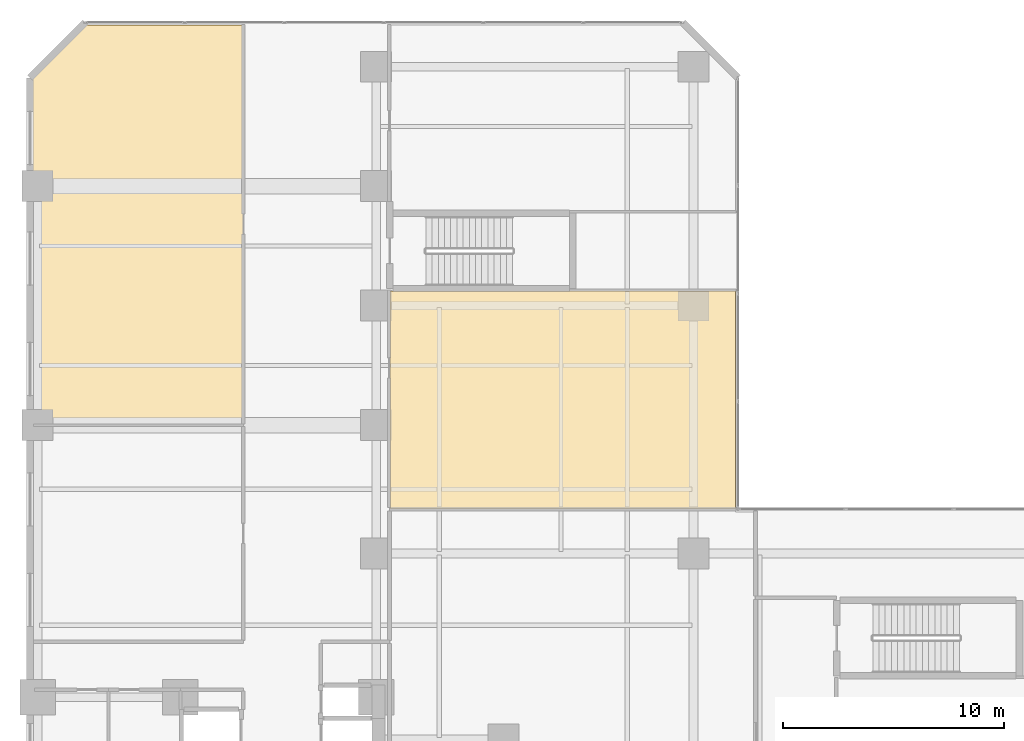
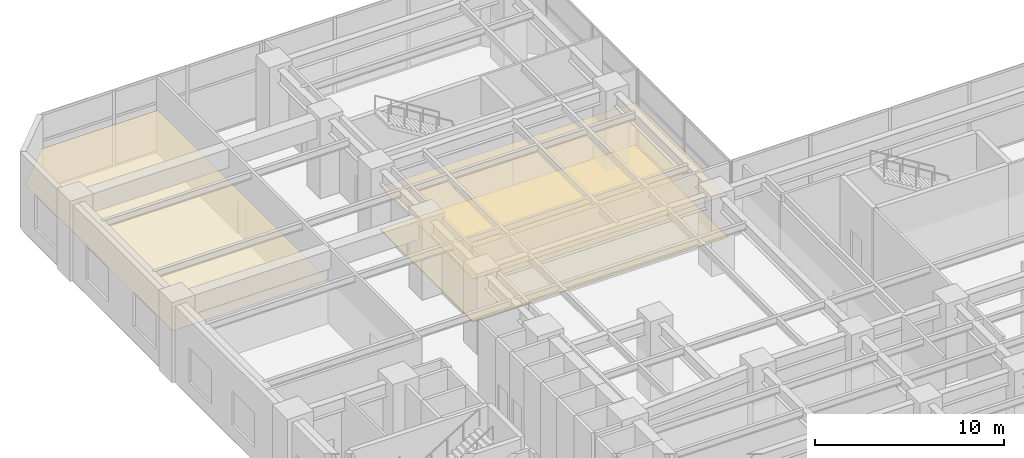
# One storey, part 21 of 22: 3 coverings.
"""IFC4 building model written with IfcOpenShell, lengths in metres."""

from ifc_helpers import new_model, si_unit, direction, frame, origin, place, context, subcontext, project, spatial, polyline, outline, extrude, material, layer, layer_set, type_object, element, save


model = new_model("IFC4")

# Units and contexts
model_context = context("Model", 3, precision=1e-05, world=origin(), true_north=direction((0.0, 1.0)))
body_context = subcontext(model_context, "Body", "Model", "MODEL_VIEW")
ifc_project = project(units=[si_unit("LENGTHUNIT", "METRE"), si_unit("AREAUNIT", "SQUARE_METRE"), si_unit("VOLUMEUNIT", "CUBIC_METRE"), si_unit("PLANEANGLEUNIT", "RADIAN"), si_unit("MASSUNIT", "GRAM", prefix="KILO")], contexts=[model_context])

# Site, building, storey
site_placement = place(None, origin())
site = spatial("IfcSite", under=ifc_project, at=site_placement, CompositionType="ELEMENT")
building_placement = place(site_placement, origin())
building = spatial("IfcBuilding", under=site, at=building_placement, Name="Mawjaban Terraces University", CompositionType="ELEMENT")
storey_placement = place(building_placement, frame((0.0, 0.0, 5.199951171875)))
storey = spatial("IfcBuildingStorey", under=building, at=storey_placement, Name="L01", CompositionType="ELEMENT", Elevation=5.199951171875)

# Coverings
ifc_material_1 = material(Name="Acoustic mineral fibre ceiling tile", Category="masonry")
ifc_layer_1 = layer(ifc_material_1, 0.02001953125)
ifc_layer_set_1 = layer_set([ifc_layer_1], Name="Acoustic mineral fibre ceiling tile")
covering_type_1 = type_object("IfcCoveringType", Name="AcousticMineralCeiling_20", PredefinedType="CEILING", material=ifc_layer_set_1)
covering_1_placement = place(storey_placement, frame((0.0, 0.0, 2.75)))
element("IfcCovering", 1, at=covering_1_placement, inside=storey, type_object=covering_type_1, Name="L01 Library Cataloguing and Faculty Office Acoustic Ceiling", PredefinedType="CEILING", context=body_context, shape_type="SweptSolid", body=[
    extrude(outline(polyline([(31.6201171875, 53.885009765625), (24.547119140625, 53.885009765625), (22.114990234375, 51.452880859375), (22.114990234375, 35.830078125), (31.6201171875, 35.830078125), (31.6201171875, 53.885009765625)])), origin(), (0.0, 0.0, 1.0), 0.02001953125),
])
covering_2_placement = place(storey_placement, frame((0.0, 0.0, 2.75)))
element("IfcCovering", 2, at=covering_2_placement, inside=storey, type_object=covering_type_1, Name="L01 Digital Scholarship Reading Hall Acoustic Ceiling", PredefinedType="CEILING", context=body_context, shape_type="SweptSolid", body=[
    extrude(outline(polyline([(53.885009765625, 32.030029296875), (53.885009765625, 41.8701171875), (38.280029296875, 41.8701171875), (38.280029296875, 32.030029296875), (53.885009765625, 32.030029296875)])), origin(), (0.0, 0.0, 1.0), 0.02001953125),
])
ifc_material_2 = material(Name="Polished Hijazi granite terrazzo flooring", Category="masonry")
ifc_layer_2 = layer(ifc_material_2, 0.02490234375)
ifc_layer_set_2 = layer_set([ifc_layer_2], Name="Polished Hijazi granite terrazzo flooring")
covering_type_2 = type_object("IfcCoveringType", Name="TerrazzoConcourseFlooring_25", PredefinedType="FLOORING", material=ifc_layer_set_2)
covering_3_placement = place(storey_placement, origin())
element("IfcCovering", 3, at=covering_3_placement, inside=storey, type_object=covering_type_2, Name="L01 Digital Scholarship Reading Hall Terrazzo Flooring", PredefinedType="FLOORING", context=body_context, shape_type="SweptSolid", body=[
    extrude(outline(polyline([(53.885009765625, 32.030029296875), (53.885009765625, 41.8701171875), (38.280029296875, 41.8701171875), (38.280029296875, 32.030029296875), (53.885009765625, 32.030029296875)])), origin(), (0.0, 0.0, 1.0), 0.025146484375),
])

save(model, "model.ifc")
